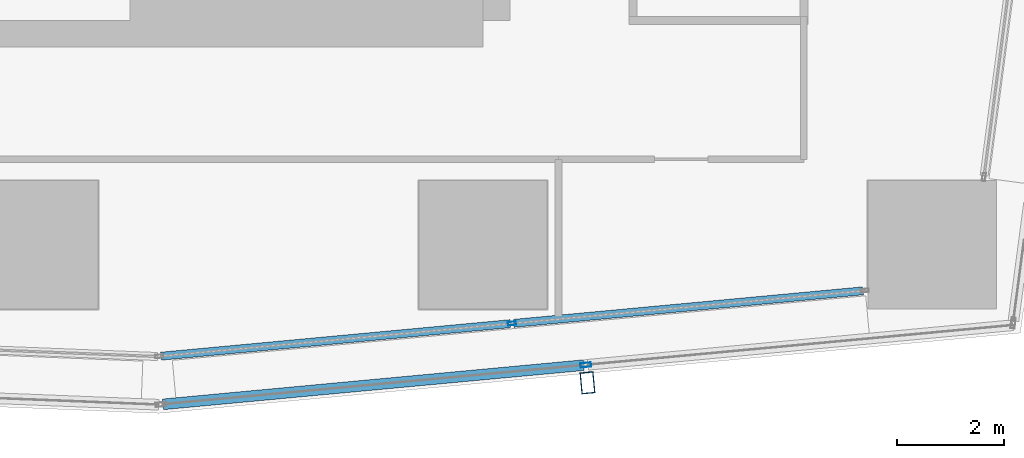
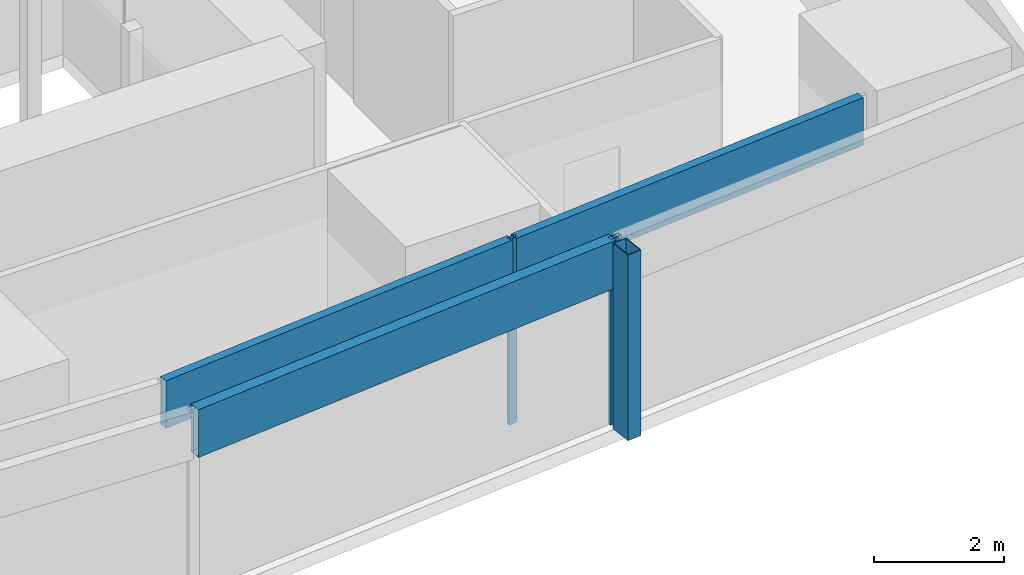
# One storey, part 9 of 37: 6 members, 2 elements without a shape of their own.
"""IFC4 building model written with IfcOpenShell, lengths in metres."""

from ifc_helpers import new_model, si_unit, direction, frame, origin, origin_2d, place, context, subcontext, project, spatial, hollow_rectangle, extrude, material, material_profile, profile_set, type_object, element, aggregate, save


model = new_model("IFC4")

# Units and contexts
model_context = context("Model", 3, precision=1e-05, world=origin(), true_north=direction((0.0, 1.0)))
body_context = subcontext(model_context, "Body", "Model", "MODEL_VIEW")
ifc_project = project(units=[si_unit("LENGTHUNIT", "METRE"), si_unit("AREAUNIT", "SQUARE_METRE"), si_unit("VOLUMEUNIT", "CUBIC_METRE"), si_unit("PLANEANGLEUNIT", "RADIAN"), si_unit("MASSUNIT", "GRAM", prefix="KILO")], contexts=[model_context])

# Site, building, storey
site_placement = place(None, origin())
site = spatial("IfcSite", under=ifc_project, at=site_placement, CompositionType="ELEMENT")
building_placement = place(site_placement, origin())
building = spatial("IfcBuilding", under=site, at=building_placement, Name="Rekha Terrace Tower", CompositionType="ELEMENT")
storey_placement = place(building_placement, frame((0.0, 0.0, 228.949951171875)))
storey = spatial("IfcBuildingStorey", under=building, at=storey_placement, Name="L58", CompositionType="ELEMENT", Elevation=228.949951171875)

# Curtain wall, member
ifc_material_1 = material(Name="Aluminium framing", Category="aluminium")
curtain_wall_type_1 = type_object("IfcCurtainWallType", Name="CW2 double skin outer glazing", PredefinedType="USERDEFINED", material=ifc_material_1)
curtain_wall_1_placement = place(storey_placement, origin())
curtain_wall_1 = element("IfcCurtainWall", 1, at=curtain_wall_1_placement, inside=storey, type_object=curtain_wall_type_1, Name="CW2 double skin outer glazing", ObjectType="DOUBLE SKIN OUTER GLAZING", PredefinedType="USERDEFINED")
ifc_material_2 = material(Name="Steel S355 with fluorocarbon finish", Category="steel")
ifc_material_profile_1 = material_profile(ifc_material_2, hollow_rectangle(XDim=0.25, YDim=0.39990234375, WallThickness=0.012451171875, at=origin_2d()), Name="RHS400x250x12.5")
ifc_profile_set_1 = profile_set([ifc_material_profile_1], Name="Steel S355 with fluorocarbon finish")
member_type_1 = type_object("IfcMemberType", Name="BL1 facade blade RHS 400 x 250", PredefinedType="USERDEFINED", material=ifc_profile_set_1)
member_1_placement = place(storey_placement, frame((52.35302734375, 14.22021484375, 0.0), z_axis=(0.0, 0.0, 1.0), x_axis=(0.995693203185, 0.092709466242, 0.0)))
member_1 = element("IfcMember", 2, at=member_1_placement, type_object=member_type_1, Name="Facade blade", ObjectType="FACADE BLADE", PredefinedType="USERDEFINED", context=body_context, shape_type="SweptSolid", body=[
    extrude(hollow_rectangle(XDim=0.25, YDim=0.39990234375, WallThickness=0.012451171875, at=origin_2d()), origin(), (0.0, 0.0, 1.0), 3.5),
])

# Curtain wall, members
curtain_wall_type_2 = type_object("IfcCurtainWallType", Name="CW1 double skin inner glazing", PredefinedType="USERDEFINED", material=ifc_material_1)
curtain_wall_2_placement = place(storey_placement, origin())
curtain_wall_2 = element("IfcCurtainWall", 3, at=curtain_wall_2_placement, inside=storey, type_object=curtain_wall_type_2, Name="CW1 double skin inner glazing", ObjectType="DOUBLE SKIN INNER GLAZING", PredefinedType="USERDEFINED")
ifc_material_3 = material(Name="Aluminium mullion section", Category="aluminium")
ifc_material_profile_2 = material_profile(ifc_material_3, hollow_rectangle(XDim=0.06494140625, YDim=0.14990234375, WallThickness=0.00390625, at=origin_2d()), Name="AL RHS 65x150")
ifc_profile_set_2 = profile_set([ifc_material_profile_2], Name="Aluminium mullion section")
member_type_2 = type_object("IfcMemberType", Name="CW1 mullion RHS 65 x 150", PredefinedType="MULLION", material=ifc_profile_set_2)
member_2_placement = place(storey_placement, frame((50.941650390625, 15.329345703125, 0.0), z_axis=(0.0, 0.0, 1.0), x_axis=(-0.092708869546, 0.995693258744, 0.0)))
member_2 = element("IfcMember", 4, at=member_2_placement, type_object=member_type_2, Name="CW1 mullion 2", PredefinedType="MULLION", context=body_context, shape_type="SweptSolid", body=[
    extrude(hollow_rectangle(XDim=0.06494140625, YDim=0.14990234375, WallThickness=0.00390625, at=origin_2d()), origin(), (0.0, 0.0, 1.0), 3.5),
])
ifc_material_4 = material(Name="Insulated aluminium spandrel box", Category="aluminium")
ifc_material_profile_3 = material_profile(ifc_material_4, hollow_rectangle(XDim=0.14990234375, YDim=0.89990234375, WallThickness=0.0029296875, at=origin_2d()), Name="AL SPANDREL BOX 150x900")
ifc_profile_set_3 = profile_set([ifc_material_profile_3], Name="Insulated aluminium spandrel box")
member_type_3 = type_object("IfcMemberType", Name="CW1 spandrel transom 150 x 900", PredefinedType="USERDEFINED", material=ifc_profile_set_3)
member_3_placement = place(storey_placement, frame((44.376708984375, 14.718017578125, 3.050048828125), z_axis=(0.995694429276, 0.092696297168, 0.0), x_axis=(-0.092696297168, 0.995694429276, 0.0)))
member_3 = element("IfcMember", 5, at=member_3_placement, type_object=member_type_3, Name="CW1 spandrel transom 1", ObjectType="TRANSOM", PredefinedType="USERDEFINED", context=body_context, shape_type="SweptSolid", body=[
    extrude(hollow_rectangle(XDim=0.14990234375, YDim=0.89990234375, WallThickness=0.0029296875, at=origin_2d()), origin(), (0.0, 0.0, 1.0), 6.560791015625),
])
member_4_placement = place(storey_placement, frame((50.973876953125, 15.332275390625, 3.050048828125), z_axis=(0.99569474901, 0.092692862687, 0.0), x_axis=(-0.092692862687, 0.99569474901, 0.0)))
member_4 = element("IfcMember", 6, at=member_4_placement, type_object=member_type_3, Name="CW1 spandrel transom 2", ObjectType="TRANSOM", PredefinedType="USERDEFINED", context=body_context, shape_type="SweptSolid", body=[
    extrude(hollow_rectangle(XDim=0.14990234375, YDim=0.89990234375, WallThickness=0.0029296875, at=origin_2d()), origin(), (0.0, 0.0, 1.0), 6.56103515625),
])
aggregate(curtain_wall_2, [member_2, member_3, member_4])

# Member
ifc_material_profile_4 = material_profile(ifc_material_3, hollow_rectangle(XDim=0.080078125, YDim=0.199951171875, WallThickness=0.00390625, at=origin_2d()), Name="AL RHS 80x200")
ifc_profile_set_4 = profile_set([ifc_material_profile_4], Name="Aluminium mullion section")
member_type_4 = type_object("IfcMemberType", Name="CW2 mullion RHS 80 x 200", PredefinedType="MULLION", material=ifc_profile_set_4)
member_5_placement = place(storey_placement, frame((52.322021484375, 14.553955078125, 0.0), z_axis=(0.0, 0.0, 1.0), x_axis=(-0.092708869512, 0.995693258747, 0.0)))
member_5 = element("IfcMember", 7, at=member_5_placement, type_object=member_type_4, Name="CW2 mullion 2", PredefinedType="MULLION", context=body_context, shape_type="SweptSolid", body=[
    extrude(hollow_rectangle(XDim=0.080078125, YDim=0.199951171875, WallThickness=0.00390625, at=origin_2d()), origin(), (0.0, 0.0, 1.0), 3.5),
])

ifc_material_profile_5 = material_profile(ifc_material_4, hollow_rectangle(XDim=0.199951171875, YDim=0.89990234375, WallThickness=0.0029296875, at=origin_2d()), Name="AL SPANDREL BOX 200x900")
ifc_profile_set_5 = profile_set([ifc_material_profile_5], Name="Insulated aluminium spandrel box")
member_type_5 = type_object("IfcMemberType", Name="CW2 spandrel transom 200 x 900", PredefinedType="USERDEFINED", material=ifc_profile_set_5)
member_6_placement = place(storey_placement, frame((44.41552734375, 13.817626953125, 3.050048828125), z_axis=(0.995690937161, 0.092733799963, 0.0), x_axis=(-0.092733799963, 0.995690937161, 0.0)))
member_6 = element("IfcMember", 8, at=member_6_placement, type_object=member_type_5, Name="CW2 spandrel transom 1", ObjectType="TRANSOM", PredefinedType="USERDEFINED", context=body_context, shape_type="SweptSolid", body=[
    extrude(hollow_rectangle(XDim=0.199951171875, YDim=0.89990234375, WallThickness=0.0029296875, at=origin_2d()), origin(), (0.0, 0.0, 1.0), 7.900634765625),
])

aggregate(curtain_wall_1, [member_5, member_6, member_1])

save(model, "model.ifc")
